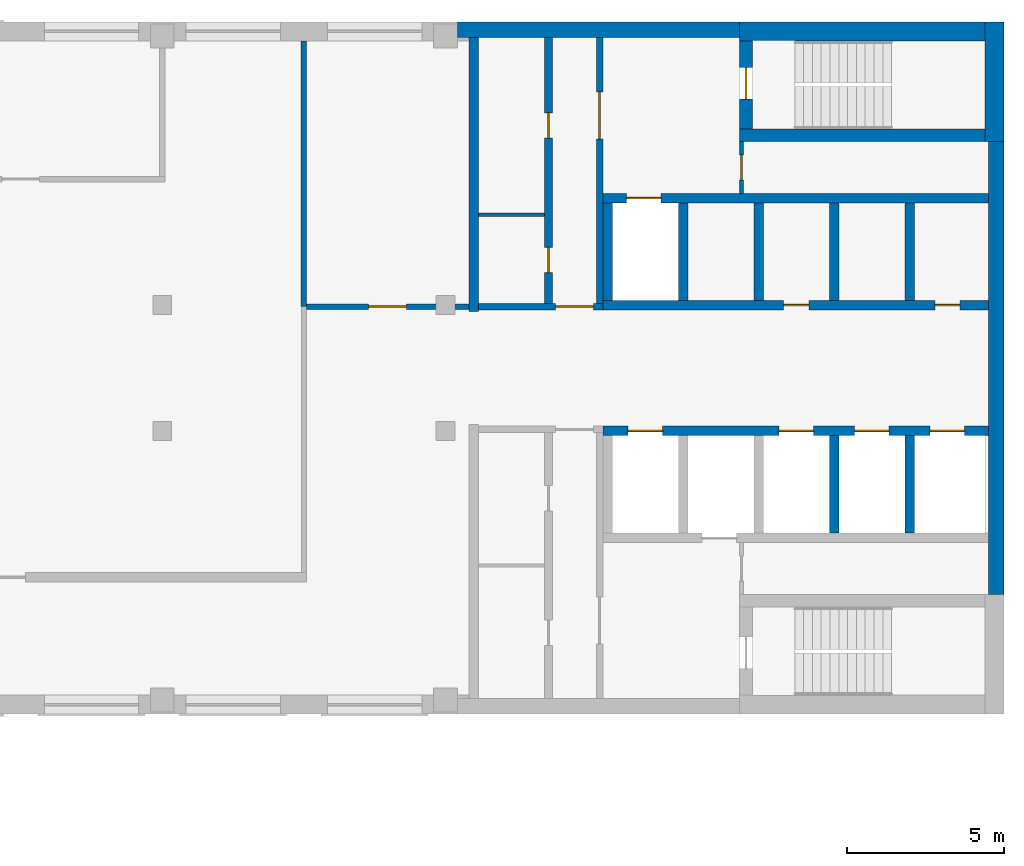
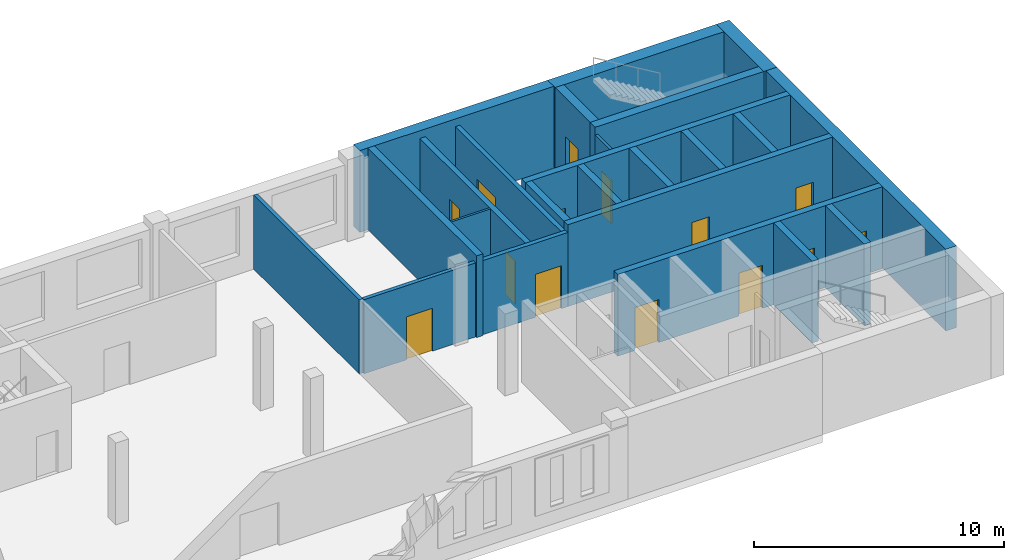
# One storey, part 6 of 8: 24 walls, 14 doors, 14 openings.
"""IFC4 building model written with IfcOpenShell, lengths in metres."""

from ifc_helpers import new_model, si_unit, direction, frame, frame_2d, origin, place, context, subcontext, project, spatial, rectangle, extrude, material, layer, layer_set, type_object, element, fill, save


model = new_model("IFC4")

# Units and contexts
model_context = context("Model", 3, precision=1e-05, world=origin(), true_north=direction((0.0, 1.0)))
body_context = subcontext(model_context, "Body", "Model", "MODEL_VIEW")
ifc_project = project(units=[si_unit("LENGTHUNIT", "METRE"), si_unit("AREAUNIT", "SQUARE_METRE"), si_unit("VOLUMEUNIT", "CUBIC_METRE"), si_unit("PLANEANGLEUNIT", "RADIAN"), si_unit("MASSUNIT", "GRAM", prefix="KILO")], contexts=[model_context])

# Site, building, storey
site_placement = place(None, origin())
site = spatial("IfcSite", under=ifc_project, at=site_placement, CompositionType="ELEMENT")
building_placement = place(site_placement, origin())
building = spatial("IfcBuilding", under=site, at=building_placement, Name="Skarvind Civic Tower", CompositionType="ELEMENT")
storey_placement = place(building_placement, frame((0.0, 0.0, 232.0)))
storey = spatial("IfcBuildingStorey", under=building, at=storey_placement, Name="L55", CompositionType="ELEMENT", Elevation=232.0)

# Wall
ifc_material_1 = material(Name="Acoustic gypsum board on steel studs", Category="steel")
ifc_layer_1 = layer(ifc_material_1, 0.175048828125)
ifc_layer_set_1 = layer_set([ifc_layer_1], Name="ACOUSTIC MEETING-ROOM PARTITION 175")
wall_type_1 = type_object("IfcWallType", Name="ACOUSTIC MEETING-ROOM PARTITION 175", PredefinedType="PARTITIONING", material=ifc_layer_set_1)
wall_1_placement = place(storey_placement, frame((85.75, 129.949951171875, 0.0), z_axis=(0.0, 0.0, 1.0), x_axis=(0.0, 1.0, 0.0)))
element("IfcWall", 1, at=wall_1_placement, inside=storey, type_object=wall_type_1, Name="Partition 55.044", PredefinedType="PARTITIONING", context=body_context, shape_type="SweptSolid", body=[
    extrude(rectangle(XDim=8.449951171875, YDim=0.175048828125, at=frame_2d((4.22509765625, 0.0))), origin(), (0.0, 0.0, 1.0), 3.625),
])

# Wall, opening, door
wall_2_placement = place(storey_placement, frame((85.837890625, 129.949951171875, 0.0), z_axis=(0.0, 0.0, 1.0), x_axis=(1.0, 0.0, 0.0)))
wall_2 = element("IfcWall", 2, at=wall_2_placement, inside=storey, type_object=wall_type_1, Name="Partition 55.045", PredefinedType="PARTITIONING", context=body_context, shape_type="SweptSolid", body=[
    extrude(rectangle(XDim=5.162109375, YDim=0.175048828125, at=frame_2d((2.5810546875, 0.0))), origin(), (0.0, 0.0, 1.0), 3.625),
])
opening_1_placement = place(wall_2_placement, frame((1.970947265625, 0.0, 0.0)))
opening_1 = element("IfcOpeningElement", 3, at=opening_1_placement, cuts=wall_2, Name="Opening L55-D001", PredefinedType="OPENING", context=body_context, shape_type="SweptSolid", body=[
    extrude(rectangle(XDim=1.199951171875, YDim=2.10009765625, at=frame_2d((0.60009765625, 1.050048828125))), frame((0.0, 0.097412109375, 0.0), z_axis=(0.0, -1.0, 0.0), x_axis=(1.0, 0.0, 0.0)), (0.0, 0.0, 1.0), 0.195068359375),
])
ifc_material_2 = material(Name="Timber door leaf", Category="wood")
door_type_1 = type_object("IfcDoorType", Name="DOOR 1200X2100 DOUBLE TIMBER", OperationType="NOTDEFINED", PredefinedType="DOOR", material=ifc_material_2)
door_1_placement = place(opening_1_placement, origin())
door_1 = element("IfcDoor", 4, at=door_1_placement, inside=storey, type_object=door_type_1, Name="Door L55-D001", OperationType="DOUBLE_DOOR_SINGLE_SWING", OverallHeight=2.10009765625, OverallWidth=1.199951171875, PredefinedType="DOOR", context=body_context, shape_type="SweptSolid", body=[
    extrude(rectangle(XDim=1.199951171875, YDim=2.10009765625, at=frame_2d((0.60009765625, 1.050048828125))), frame((0.0, 0.02490234375, 0.0), z_axis=(0.0, -1.0, 0.0), x_axis=(1.0, 0.0, 0.0)), (0.0, 0.0, 1.0), 0.050048828125),
])
fill(opening_1, door_1)

ifc_material_3 = material(Name="Fire-rated masonry partition", Category="masonry")
ifc_layer_2 = layer(ifc_material_3, 0.199951171875)
ifc_layer_set_2 = layer_set([ifc_layer_2], Name="Core enclosure wall 200")
wall_type_2 = type_object("IfcWallType", Name="Core enclosure wall 200", PredefinedType="PARTITIONING", material=ifc_layer_set_2)
wall_3_placement = place(storey_placement, frame((91.300048828125, 129.949951171875, 0.0), z_axis=(0.0, 0.0, 1.0), x_axis=(1.0, 0.0, 0.0)))
wall_3 = element("IfcWall", 5, at=wall_3_placement, inside=storey, type_object=wall_type_2, Name="Core wall C1", PredefinedType="PARTITIONING", context=body_context, shape_type="SweptSolid", body=[
    extrude(rectangle(XDim=3.949951171875, YDim=0.199951171875, at=frame_2d((1.97509765625, 0.0))), origin(), (0.0, 0.0, 1.0), 3.625),
])
opening_2_placement = place(wall_3_placement, frame((2.449951171875, 0.0, 0.0)))
opening_2 = element("IfcOpeningElement", 6, at=opening_2_placement, cuts=wall_3, Name="Opening D-L55-C1-13", PredefinedType="OPENING", context=body_context, shape_type="SweptSolid", body=[
    extrude(rectangle(XDim=1.199951171875, YDim=2.10009765625, at=frame_2d((0.60009765625, 1.050048828125))), frame((0.0, 0.10986328125, 0.0), z_axis=(0.0, -1.0, 0.0), x_axis=(1.0, 0.0, 0.0)), (0.0, 0.0, 1.0), 0.219970703125),
])
ifc_material_4 = material(Name="Fire-rated steel door", Category="steel")
door_type_2 = type_object("IfcDoorType", Name="Core lobby door 1200", OperationType="NOTDEFINED", PredefinedType="DOOR", material=ifc_material_4)
door_2_placement = place(opening_2_placement, origin())
door_2 = element("IfcDoor", 7, at=door_2_placement, inside=storey, type_object=door_type_2, Name="Fire door", OperationType="DOUBLE_DOOR_SINGLE_SWING", OverallHeight=2.10009765625, OverallWidth=1.199951171875, PredefinedType="DOOR", context=body_context, shape_type="SweptSolid", body=[
    extrude(rectangle(XDim=1.199951171875, YDim=2.10009765625, at=frame_2d((0.60009765625, 1.050048828125))), frame((0.0, 0.02490234375, 0.0), z_axis=(0.0, -1.0, 0.0), x_axis=(1.0, 0.0, 0.0)), (0.0, 0.0, 1.0), 0.050048828125),
])
fill(opening_2, door_2)

wall_4_placement = place(storey_placement, frame((95.14990234375, 130.050048828125, 0.0), z_axis=(0.0, 0.0, 1.0), x_axis=(0.0, 1.0, 0.0)))
wall_4 = element("IfcWall", 8, at=wall_4_placement, inside=storey, type_object=wall_type_2, Name="Core wall C1", PredefinedType="PARTITIONING", context=body_context, shape_type="SweptSolid", body=[
    extrude(rectangle(XDim=8.449951171875, YDim=0.199951171875, at=frame_2d((4.22509765625, 0.0))), origin(), (0.0, 0.0, 1.0), 3.625),
])
opening_3_placement = place(wall_4_placement, frame((5.22509765625, 0.0, 0.0)))
opening_3 = element("IfcOpeningElement", 9, at=opening_3_placement, cuts=wall_4, Name="Opening D-L55-C1-14", PredefinedType="OPENING", context=body_context, shape_type="SweptSolid", body=[
    extrude(rectangle(XDim=1.5, YDim=2.10009765625, at=frame_2d((0.75, 1.050048828125))), frame((0.0, 0.10986328125, 0.0), z_axis=(0.0, -1.0, 0.0), x_axis=(1.0, 0.0, 0.0)), (0.0, 0.0, 1.0), 0.219970703125),
])
door_type_3 = type_object("IfcDoorType", Name="Fire door 1500", OperationType="NOTDEFINED", PredefinedType="DOOR", material=ifc_material_4)
door_3_placement = place(opening_3_placement, origin())
door_3 = element("IfcDoor", 10, at=door_3_placement, inside=storey, type_object=door_type_3, Name="Fire door", OperationType="DOUBLE_DOOR_SINGLE_SWING", OverallHeight=2.10009765625, OverallWidth=1.5, PredefinedType="DOOR", context=body_context, shape_type="SweptSolid", body=[
    extrude(rectangle(XDim=1.5, YDim=2.10009765625, at=frame_2d((0.75, 1.050048828125))), frame((0.0, 0.02490234375, 0.0), z_axis=(0.0, -1.0, 0.0), x_axis=(1.0, 0.0, 0.0)), (0.0, 0.0, 1.0), 0.050048828125),
])
fill(opening_3, door_3)

# Wall
ifc_material_5 = material(Name="Fire-rated plasterboard partition")
ifc_layer_3 = layer(ifc_material_5, 0.10009765625)
ifc_layer_set_3 = layer_set([ifc_layer_3], Name="Core partition wall 100")
wall_type_3 = type_object("IfcWallType", Name="Core partition wall 100", PredefinedType="PARTITIONING", material=ifc_layer_set_3)
wall_5_placement = place(storey_placement, frame((91.300048828125, 132.8701171875, 0.0), z_axis=(0.0, 0.0, 1.0), x_axis=(1.0, 0.0, 0.0)))
element("IfcWall", 11, at=wall_5_placement, inside=storey, type_object=wall_type_3, Name="Core wall C1", PredefinedType="PARTITIONING", context=body_context, shape_type="SweptSolid", body=[
    extrude(rectangle(XDim=2.099853515625, YDim=0.10009765625, at=frame_2d((1.0498046875, 0.0))), origin(), (0.0, 0.0, 1.0), 3.625),
])

# Wall, openings, doors
ifc_material_6 = material(Name="Concrete C60", Category="concrete")
ifc_layer_4 = layer(ifc_material_6, 0.300048828125)
ifc_layer_set_4 = layer_set([ifc_layer_4], Name="Core wall 300 C60")
wall_type_4 = type_object("IfcWallType", Name="Core wall 300 C60", PredefinedType="SHEAR", material=ifc_layer_set_4)
wall_6_placement = place(storey_placement, frame((107.5, 130.0, 0.0), z_axis=(0.0, 0.0, 1.0), x_axis=(-1.0, 0.0, 0.0)))
wall_6 = element("IfcWall", 12, at=wall_6_placement, inside=storey, type_object=wall_type_4, Name="Core wall C1 south lift row front L55", PredefinedType="SHEAR", context=body_context, shape_type="SweptSolid", body=[
    extrude(rectangle(XDim=12.25, YDim=0.300048828125, at=frame_2d((6.125, 0.0))), origin(), (0.0, 0.0, 1.0), 4.0),
])
opening_4_placement = place(wall_6_placement, frame((0.89990234375, 0.0, 0.0)))
opening_4 = element("IfcOpeningElement", 13, at=opening_4_placement, cuts=wall_6, Name="Opening D-L55-C1-05", PredefinedType="OPENING", context=body_context, shape_type="SweptSolid", body=[
    extrude(rectangle(XDim=0.800048828125, YDim=2.10009765625, at=frame_2d((0.39990234375, 1.050048828125))), frame((0.0, 0.159912109375, 0.0), z_axis=(0.0, -1.0, 0.0), x_axis=(1.0, 0.0, 0.0)), (0.0, 0.0, 1.0), 0.320068359375),
])
opening_5_placement = place(wall_6_placement, frame((5.699951171875, 0.0, 0.0)))
opening_5 = element("IfcOpeningElement", 14, at=opening_5_placement, cuts=wall_6, Name="Opening D-L55-C1-06", PredefinedType="OPENING", context=body_context, shape_type="SweptSolid", body=[
    extrude(rectangle(XDim=0.800048828125, YDim=2.10009765625, at=frame_2d((0.39990234375, 1.050048828125))), frame((0.0, 0.159912109375, 0.0), z_axis=(0.0, -1.0, 0.0), x_axis=(1.0, 0.0, 0.0)), (0.0, 0.0, 1.0), 0.320068359375),
])
door_type_4 = type_object("IfcDoorType", Name="Core riser door 800", OperationType="NOTDEFINED", PredefinedType="DOOR", material=ifc_material_4)
door_4_placement = place(opening_4_placement, origin())
door_4 = element("IfcDoor", 15, at=door_4_placement, inside=storey, type_object=door_type_4, Name="Riser door", OperationType="SINGLE_SWING_LEFT", OverallHeight=2.10009765625, OverallWidth=0.800048828125, PredefinedType="DOOR", context=body_context, shape_type="SweptSolid", body=[
    extrude(rectangle(XDim=0.800048828125, YDim=2.10009765625, at=frame_2d((0.39990234375, 1.050048828125))), frame((0.0, 0.02490234375, 0.0), z_axis=(0.0, -1.0, 0.0), x_axis=(1.0, 0.0, 0.0)), (0.0, 0.0, 1.0), 0.050048828125),
])
fill(opening_4, door_4)
door_5_placement = place(opening_5_placement, origin())
door_5 = element("IfcDoor", 16, at=door_5_placement, inside=storey, type_object=door_type_4, Name="Riser door", OperationType="SINGLE_SWING_RIGHT", OverallHeight=2.10009765625, OverallWidth=0.800048828125, PredefinedType="DOOR", context=body_context, shape_type="SweptSolid", body=[
    extrude(rectangle(XDim=0.800048828125, YDim=2.10009765625, at=frame_2d((0.39990234375, 1.050048828125))), frame((0.0, 0.02490234375, 0.0), z_axis=(0.0, -1.0, 0.0), x_axis=(1.0, 0.0, 0.0)), (0.0, 0.0, 1.0), 0.050048828125),
])
fill(opening_5, door_5)

# Wall, opening, door
wall_7_placement = place(storey_placement, frame((107.5, 133.39990234375, 0.0), z_axis=(0.0, 0.0, 1.0), x_axis=(-1.0, 0.0, 0.0)))
wall_7 = element("IfcWall", 17, at=wall_7_placement, inside=storey, type_object=wall_type_4, Name="Core wall C1 south lift row back L55", PredefinedType="SHEAR", context=body_context, shape_type="SweptSolid", body=[
    extrude(rectangle(XDim=12.25, YDim=0.300048828125, at=frame_2d((6.125, 0.0))), origin(), (0.0, 0.0, 1.0), 4.0),
])
opening_6_placement = place(wall_7_placement, frame((10.39990234375, 0.0, 0.0)))
opening_6 = element("IfcOpeningElement", 18, at=opening_6_placement, cuts=wall_7, Name="Opening LD57110", PredefinedType="OPENING", context=body_context, shape_type="SweptSolid", body=[
    extrude(rectangle(XDim=1.10009765625, YDim=2.10009765625, at=frame_2d((0.550048828125, 1.050048828125))), frame((0.0, 0.159912109375, 0.0), z_axis=(0.0, -1.0, 0.0), x_axis=(1.0, 0.0, 0.0)), (0.0, 0.0, 1.0), 0.320068359375),
])
ifc_material_7 = material(Name="Stainless steel landing door", Category="steel")
door_type_5 = type_object("IfcDoorType", Name="Lift landing door 1100", OperationType="DOUBLE_DOOR_SLIDING", PredefinedType="DOOR", material=ifc_material_7)
door_6_placement = place(opening_6_placement, origin())
door_6 = element("IfcDoor", 19, at=door_6_placement, inside=storey, type_object=door_type_5, Name="Lift landing door", OperationType="DOUBLE_DOOR_SLIDING", OverallHeight=2.10009765625, OverallWidth=1.10009765625, PredefinedType="DOOR", context=body_context, shape_type="SweptSolid", body=[
    extrude(rectangle(XDim=1.10009765625, YDim=2.10009765625, at=frame_2d((0.550048828125, 1.050048828125))), frame((0.0, 0.02490234375, 0.0), z_axis=(0.0, -1.0, 0.0), x_axis=(1.0, 0.0, 0.0)), (0.0, 0.0, 1.0), 0.050048828125),
])
fill(opening_6, door_6)

# Walls
for number, where, z_axis, x_axis, name in (
    (20, (105.0, 133.25, 0.0), (0.0, 0.0, 1.0), (0.0, -1.0, 0.0), "Core wall C1 south lift row division 1 L55"),
    (21, (102.60009765625, 133.25, 0.0), (0.0, 0.0, 1.0), (0.0, -1.0, 0.0), "Core wall C1 south lift row division 2 L55"),
    (22, (100.199951171875, 133.25, 0.0), (0.0, 0.0, 1.0), (0.0, -1.0, 0.0), "Core wall C1 south lift row division 3 L55"),
    (23, (97.800048828125, 133.25, 0.0), (0.0, 0.0, 1.0), (0.0, -1.0, 0.0), "Core wall C1 south lift row division 4 L55"),
    (24, (95.39990234375, 133.25, 0.0), (0.0, 0.0, 1.0), (0.0, -1.0, 0.0), "Core wall C1 south lift row division 5 L55"),
):
    element("IfcWall", number, at=place(storey_placement, frame(where, z_axis=z_axis, x_axis=x_axis)), inside=storey, type_object=wall_type_4, Name=name, PredefinedType="SHEAR", context=body_context, shape_type="SweptSolid", body=[
        extrude(rectangle(XDim=3.10009765625, YDim=0.300048828125, at=frame_2d((1.550048828125, 0.0))), origin(), (0.0, 0.0, 1.0), 4.0),
    ])

# Wall, openings, doors
wall_8_placement = place(storey_placement, frame((107.5, 126.0, 0.0), z_axis=(0.0, 0.0, 1.0), x_axis=(-1.0, 0.0, 0.0)))
wall_8 = element("IfcWall", 25, at=wall_8_placement, inside=storey, type_object=wall_type_4, Name="Core wall C1 north lift row front L55", PredefinedType="SHEAR", context=body_context, shape_type="SweptSolid", body=[
    extrude(rectangle(XDim=12.25, YDim=0.300048828125, at=frame_2d((6.125, 0.0))), origin(), (0.0, 0.0, 1.0), 4.0),
])
opening_7_placement = place(wall_8_placement, frame((0.75, 0.0, 0.0)))
opening_7 = element("IfcOpeningElement", 26, at=opening_7_placement, cuts=wall_8, Name="Opening LD57101", PredefinedType="OPENING", context=body_context, shape_type="SweptSolid", body=[
    extrude(rectangle(XDim=1.10009765625, YDim=2.10009765625, at=frame_2d((0.550048828125, 1.050048828125))), frame((0.0, 0.159912109375, 0.0), z_axis=(0.0, -1.0, 0.0), x_axis=(1.0, 0.0, 0.0)), (0.0, 0.0, 1.0), 0.320068359375),
])
opening_8_placement = place(wall_8_placement, frame((3.14990234375, 0.0, 0.0)))
opening_8 = element("IfcOpeningElement", 27, at=opening_8_placement, cuts=wall_8, Name="Opening LD57102", PredefinedType="OPENING", context=body_context, shape_type="SweptSolid", body=[
    extrude(rectangle(XDim=1.10009765625, YDim=2.10009765625, at=frame_2d((0.550048828125, 1.050048828125))), frame((0.0, 0.159912109375, 0.0), z_axis=(0.0, -1.0, 0.0), x_axis=(1.0, 0.0, 0.0)), (0.0, 0.0, 1.0), 0.320068359375),
])
opening_9_placement = place(wall_8_placement, frame((5.550048828125, 0.0, 0.0)))
opening_9 = element("IfcOpeningElement", 28, at=opening_9_placement, cuts=wall_8, Name="Opening LD57103", PredefinedType="OPENING", context=body_context, shape_type="SweptSolid", body=[
    extrude(rectangle(XDim=1.10009765625, YDim=2.10009765625, at=frame_2d((0.550048828125, 1.050048828125))), frame((0.0, 0.159912109375, 0.0), z_axis=(0.0, -1.0, 0.0), x_axis=(1.0, 0.0, 0.0)), (0.0, 0.0, 1.0), 0.320068359375),
])
opening_10_placement = place(wall_8_placement, frame((10.35009765625, 0.0, 0.0)))
opening_10 = element("IfcOpeningElement", 29, at=opening_10_placement, cuts=wall_8, Name="Opening LD57105", PredefinedType="OPENING", context=body_context, shape_type="SweptSolid", body=[
    extrude(rectangle(XDim=1.10009765625, YDim=2.10009765625, at=frame_2d((0.550048828125, 1.050048828125))), frame((0.0, 0.159912109375, 0.0), z_axis=(0.0, -1.0, 0.0), x_axis=(1.0, 0.0, 0.0)), (0.0, 0.0, 1.0), 0.320068359375),
])
door_7_placement = place(opening_7_placement, origin())
door_7 = element("IfcDoor", 30, at=door_7_placement, inside=storey, type_object=door_type_5, Name="Lift landing door", OperationType="DOUBLE_DOOR_SLIDING", OverallHeight=2.10009765625, OverallWidth=1.10009765625, PredefinedType="DOOR", context=body_context, shape_type="SweptSolid", body=[
    extrude(rectangle(XDim=1.10009765625, YDim=2.10009765625, at=frame_2d((0.550048828125, 1.050048828125))), frame((0.0, 0.02490234375, 0.0), z_axis=(0.0, -1.0, 0.0), x_axis=(1.0, 0.0, 0.0)), (0.0, 0.0, 1.0), 0.050048828125),
])
fill(opening_7, door_7)
door_8_placement = place(opening_8_placement, origin())
door_8 = element("IfcDoor", 31, at=door_8_placement, inside=storey, type_object=door_type_5, Name="Lift landing door", OperationType="DOUBLE_DOOR_SLIDING", OverallHeight=2.10009765625, OverallWidth=1.10009765625, PredefinedType="DOOR", context=body_context, shape_type="SweptSolid", body=[
    extrude(rectangle(XDim=1.10009765625, YDim=2.10009765625, at=frame_2d((0.550048828125, 1.050048828125))), frame((0.0, 0.02490234375, 0.0), z_axis=(0.0, -1.0, 0.0), x_axis=(1.0, 0.0, 0.0)), (0.0, 0.0, 1.0), 0.050048828125),
])
fill(opening_8, door_8)
door_9_placement = place(opening_9_placement, origin())
door_9 = element("IfcDoor", 32, at=door_9_placement, inside=storey, type_object=door_type_5, Name="Lift landing door", OperationType="DOUBLE_DOOR_SLIDING", OverallHeight=2.10009765625, OverallWidth=1.10009765625, PredefinedType="DOOR", context=body_context, shape_type="SweptSolid", body=[
    extrude(rectangle(XDim=1.10009765625, YDim=2.10009765625, at=frame_2d((0.550048828125, 1.050048828125))), frame((0.0, 0.02490234375, 0.0), z_axis=(0.0, -1.0, 0.0), x_axis=(1.0, 0.0, 0.0)), (0.0, 0.0, 1.0), 0.050048828125),
])
fill(opening_9, door_9)
door_10_placement = place(opening_10_placement, origin())
door_10 = element("IfcDoor", 33, at=door_10_placement, inside=storey, type_object=door_type_5, Name="Lift landing door", OperationType="DOUBLE_DOOR_SLIDING", OverallHeight=2.10009765625, OverallWidth=1.10009765625, PredefinedType="DOOR", context=body_context, shape_type="SweptSolid", body=[
    extrude(rectangle(XDim=1.10009765625, YDim=2.10009765625, at=frame_2d((0.550048828125, 1.050048828125))), frame((0.0, 0.02490234375, 0.0), z_axis=(0.0, -1.0, 0.0), x_axis=(1.0, 0.0, 0.0)), (0.0, 0.0, 1.0), 0.050048828125),
])
fill(opening_10, door_10)

# Walls
for number, where, z_axis, x_axis, name in (
    (34, (105.0, 125.85009765625, 0.0), (0.0, 0.0, 1.0), (0.0, -1.0, 0.0), "Core wall C1 north lift row division 1 L55"),
    (35, (102.60009765625, 125.85009765625, 0.0), (0.0, 0.0, 1.0), (0.0, -1.0, 0.0), "Core wall C1 north lift row division 2 L55"),
):
    element("IfcWall", number, at=place(storey_placement, frame(where, z_axis=z_axis, x_axis=x_axis)), inside=storey, type_object=wall_type_4, Name=name, PredefinedType="SHEAR", context=body_context, shape_type="SweptSolid", body=[
        extrude(rectangle(XDim=3.10009765625, YDim=0.300048828125, at=frame_2d((1.550048828125, 0.0))), origin(), (0.0, 0.0, 1.0), 4.0),
    ])
wall_9_placement = place(storey_placement, frame((91.14990234375, 138.5, 0.0), z_axis=(0.0, 0.0, 1.0), x_axis=(0.0, -1.0, 0.0)))
element("IfcWall", 36, at=wall_9_placement, inside=storey, type_object=wall_type_4, Name="Core wall C1 south inner face L55", PredefinedType="SHEAR", context=body_context, shape_type="SweptSolid", body=[
    extrude(rectangle(XDim=8.699951171875, YDim=0.300048828125, at=frame_2d((4.35009765625, 0.0))), origin(), (0.0, 0.0, 1.0), 4.0),
])
ifc_layer_5 = layer(ifc_material_6, 0.39990234375)
ifc_layer_set_5 = layer_set([ifc_layer_5], Name="Core wall 400 C60")
wall_type_5 = type_object("IfcWallType", Name="Core wall 400 C60", PredefinedType="SHEAR", material=ifc_layer_set_5)
wall_10_placement = place(storey_placement, frame((107.39990234375, 135.39990234375, 0.0), z_axis=(0.0, 0.0, 1.0), x_axis=(-1.0, 0.0, 0.0)))
element("IfcWall", 37, at=wall_10_placement, inside=storey, type_object=wall_type_5, Name="Core wall C1 south stair inner L55", PredefinedType="SHEAR", context=body_context, shape_type="SweptSolid", body=[
    extrude(rectangle(XDim=7.7998046875, YDim=0.39990234375, at=frame_2d((3.89990234375, 0.0))), origin(), (0.0, 0.0, 1.0), 4.0),
])

# Wall, opening, door
wall_11_placement = place(storey_placement, frame((99.800048828125, 138.39990234375, 0.0), z_axis=(0.0, 0.0, 1.0), x_axis=(0.0, -1.0, 0.0)))
wall_11 = element("IfcWall", 38, at=wall_11_placement, inside=storey, type_object=wall_type_5, Name="Core wall C1 south stair end L55", PredefinedType="SHEAR", context=body_context, shape_type="SweptSolid", body=[
    extrude(rectangle(XDim=2.7998046875, YDim=0.39990234375, at=frame_2d((1.39990234375, 0.0))), origin(), (0.0, 0.0, 1.0), 4.0),
])
opening_11_placement = place(wall_11_placement, frame((0.85009765625, 0.0, 0.0)))
opening_11 = element("IfcOpeningElement", 39, at=opening_11_placement, cuts=wall_11, Name="Opening D-L55-C1-15", PredefinedType="OPENING", context=body_context, shape_type="SweptSolid", body=[
    extrude(rectangle(XDim=1.0, YDim=2.10009765625, at=frame_2d((0.5, 1.050048828125))), frame((0.0, 0.2099609375, 0.0), z_axis=(0.0, -1.0, 0.0), x_axis=(1.0, 0.0, 0.0)), (0.0, 0.0, 1.0), 0.419921875),
])
door_type_6 = type_object("IfcDoorType", Name="Fire door 1000", OperationType="NOTDEFINED", PredefinedType="DOOR", material=ifc_material_4)
door_11_placement = place(opening_11_placement, origin())
door_11 = element("IfcDoor", 40, at=door_11_placement, inside=storey, type_object=door_type_6, Name="Fire door", OperationType="SINGLE_SWING_RIGHT", OverallHeight=2.10009765625, OverallWidth=1.0, PredefinedType="DOOR", context=body_context, shape_type="SweptSolid", body=[
    extrude(rectangle(XDim=1.0, YDim=2.10009765625, at=frame_2d((0.5, 1.050048828125))), frame((0.0, 0.02490234375, 0.0), z_axis=(0.0, -1.0, 0.0), x_axis=(1.0, 0.0, 0.0)), (0.0, 0.0, 1.0), 0.050048828125),
])
fill(opening_11, door_11)

# Walls
ifc_layer_6 = layer(ifc_material_6, 0.5)
ifc_layer_set_6 = layer_set([ifc_layer_6], Name="Core wall 500 C60")
wall_type_6 = type_object("IfcWallType", Name="Core wall 500 C60", PredefinedType="SHEAR", material=ifc_layer_set_6)
wall_12_placement = place(storey_placement, frame((107.75, 135.199951171875, 0.0), z_axis=(0.0, 0.0, 1.0), x_axis=(0.0, -1.0, 0.0)))
element("IfcWall", 41, at=wall_12_placement, inside=storey, type_object=wall_type_6, Name="Core wall C1 tip between the stairs L55", PredefinedType="SHEAR", context=body_context, shape_type="SweptSolid", body=[
    extrude(rectangle(XDim=14.39990234375, YDim=0.5, at=frame_2d((7.199951171875, 0.0))), origin(), (0.0, 0.0, 1.0), 4.0),
])
wall_13_placement = place(storey_placement, frame((99.60009765625, 138.75, 0.0), z_axis=(0.0, 0.0, 1.0), x_axis=(-1.0, 0.0, 0.0)))
element("IfcWall", 42, at=wall_13_placement, inside=storey, type_object=wall_type_6, Name="Core wall C1 south side L55", PredefinedType="SHEAR", context=body_context, shape_type="SweptSolid", body=[
    extrude(rectangle(XDim=8.97509765625, YDim=0.5, at=frame_2d((4.487548828125, 0.0))), origin(), (0.0, 0.0, 1.0), 4.0),
])
ifc_layer_7 = layer(ifc_material_6, 0.60009765625)
ifc_layer_set_7 = layer_set([ifc_layer_7], Name="Core wall 600 C60")
wall_type_7 = type_object("IfcWallType", Name="Core wall 600 C60", PredefinedType="SHEAR", material=ifc_layer_set_7)
wall_14_placement = place(storey_placement, frame((107.699951171875, 139.0, 0.0), z_axis=(0.0, 0.0, 1.0), x_axis=(0.0, -1.0, 0.0)))
element("IfcWall", 43, at=wall_14_placement, inside=storey, type_object=wall_type_7, Name="Core wall C1 tip at the south stair L55", PredefinedType="SHEAR", context=body_context, shape_type="SweptSolid", body=[
    extrude(rectangle(XDim=3.800048828125, YDim=0.60009765625, at=frame_2d((1.89990234375, 0.0))), origin(), (0.0, 0.0, 1.0), 4.0),
])
wall_15_placement = place(storey_placement, frame((107.39990234375, 138.699951171875, 0.0), z_axis=(0.0, 0.0, 1.0), x_axis=(-1.0, 0.0, 0.0)))
element("IfcWall", 44, at=wall_15_placement, inside=storey, type_object=wall_type_7, Name="Core wall C1 south side at the stair L55", PredefinedType="SHEAR", context=body_context, shape_type="SweptSolid", body=[
    extrude(rectangle(XDim=7.7998046875, YDim=0.60009765625, at=frame_2d((3.89990234375, 0.0))), origin(), (0.0, 0.0, 1.0), 4.0),
])

# Wall, opening, door
ifc_layer_8 = layer(ifc_material_3, 0.125)
ifc_layer_set_8 = layer_set([ifc_layer_8], Name="Riser wall 125")
wall_type_8 = type_object("IfcWallType", Name="Riser wall 125", PredefinedType="PARTITIONING", material=ifc_layer_set_8)
wall_16_placement = place(storey_placement, frame((99.66259765625, 133.550048828125, 0.0), z_axis=(0.0, 0.0, 1.0), x_axis=(0.0, 1.0, 0.0)))
wall_16 = element("IfcWall", 45, at=wall_16_placement, inside=storey, type_object=wall_type_8, Name="Core wall C1", PredefinedType="PARTITIONING", context=body_context, shape_type="SweptSolid", body=[
    extrude(rectangle(XDim=1.64990234375, YDim=0.125, at=frame_2d((0.824951171875, 0.0))), origin(), (0.0, 0.0, 1.0), 3.625),
])
opening_12_placement = place(wall_16_placement, frame((0.425048828125, 0.0, 0.0)))
opening_12 = element("IfcOpeningElement", 46, at=opening_12_placement, cuts=wall_16, Name="Opening D-L55-C1-16", PredefinedType="OPENING", context=body_context, shape_type="SweptSolid", body=[
    extrude(rectangle(XDim=0.800048828125, YDim=2.10009765625, at=frame_2d((0.39990234375, 1.050048828125))), frame((0.0, 0.072509765625, 0.0), z_axis=(0.0, -1.0, 0.0), x_axis=(1.0, 0.0, 0.0)), (0.0, 0.0, 1.0), 0.14501953125),
])
door_12_placement = place(opening_12_placement, origin())
door_12 = element("IfcDoor", 47, at=door_12_placement, inside=storey, type_object=door_type_4, Name="Riser door", OperationType="SINGLE_SWING_LEFT", OverallHeight=2.10009765625, OverallWidth=0.800048828125, PredefinedType="DOOR", context=body_context, shape_type="SweptSolid", body=[
    extrude(rectangle(XDim=0.800048828125, YDim=2.10009765625, at=frame_2d((0.39990234375, 1.050048828125))), frame((0.0, 0.02490234375, 0.0), z_axis=(0.0, -1.0, 0.0), x_axis=(1.0, 0.0, 0.0)), (0.0, 0.0, 1.0), 0.050048828125),
])
fill(opening_12, door_12)

# Wall, openings, doors
ifc_layer_9 = layer(ifc_material_3, 0.25)
ifc_layer_set_9 = layer_set([ifc_layer_9], Name="Service block wall 250")
wall_type_9 = type_object("IfcWallType", Name="Service block wall 250", PredefinedType="PARTITIONING", material=ifc_layer_set_9)
wall_17_placement = place(storey_placement, frame((93.52490234375, 130.050048828125, 0.0), z_axis=(0.0, 0.0, 1.0), x_axis=(0.0, 1.0, 0.0)))
wall_17 = element("IfcWall", 48, at=wall_17_placement, inside=storey, type_object=wall_type_9, Name="Core wall C1", PredefinedType="PARTITIONING", context=body_context, shape_type="SweptSolid", body=[
    extrude(rectangle(XDim=8.449951171875, YDim=0.25, at=frame_2d((4.22509765625, 0.0))), origin(), (0.0, 0.0, 1.0), 3.625),
])
opening_13_placement = place(wall_17_placement, frame((0.985107421875, 0.0, 0.0)))
opening_13 = element("IfcOpeningElement", 49, at=opening_13_placement, cuts=wall_17, Name="Opening D-L55-C1-17", PredefinedType="OPENING", context=body_context, shape_type="SweptSolid", body=[
    extrude(rectangle(XDim=0.800048828125, YDim=2.10009765625, at=frame_2d((0.39990234375, 1.050048828125))), frame((0.0, 0.135009765625, 0.0), z_axis=(0.0, -1.0, 0.0), x_axis=(1.0, 0.0, 0.0)), (0.0, 0.0, 1.0), 0.27001953125),
])
opening_14_placement = place(wall_17_placement, frame((5.260009765625, 0.0, 0.0)))
opening_14 = element("IfcOpeningElement", 50, at=opening_14_placement, cuts=wall_17, Name="Opening D-L55-C1-18", PredefinedType="OPENING", context=body_context, shape_type="SweptSolid", body=[
    extrude(rectangle(XDim=0.800048828125, YDim=2.10009765625, at=frame_2d((0.39990234375, 1.050048828125))), frame((0.0, 0.135009765625, 0.0), z_axis=(0.0, -1.0, 0.0), x_axis=(1.0, 0.0, 0.0)), (0.0, 0.0, 1.0), 0.27001953125),
])
door_13_placement = place(opening_13_placement, origin())
door_13 = element("IfcDoor", 51, at=door_13_placement, inside=storey, type_object=door_type_4, Name="Riser door", OperationType="SINGLE_SWING_RIGHT", OverallHeight=2.10009765625, OverallWidth=0.800048828125, PredefinedType="DOOR", context=body_context, shape_type="SweptSolid", body=[
    extrude(rectangle(XDim=0.800048828125, YDim=2.10009765625, at=frame_2d((0.39990234375, 1.050048828125))), frame((0.0, 0.02490234375, 0.0), z_axis=(0.0, -1.0, 0.0), x_axis=(1.0, 0.0, 0.0)), (0.0, 0.0, 1.0), 0.050048828125),
])
fill(opening_13, door_13)
door_14_placement = place(opening_14_placement, origin())
door_14 = element("IfcDoor", 52, at=door_14_placement, inside=storey, type_object=door_type_4, Name="Riser door", OperationType="SINGLE_SWING_LEFT", OverallHeight=2.10009765625, OverallWidth=0.800048828125, PredefinedType="DOOR", context=body_context, shape_type="SweptSolid", body=[
    extrude(rectangle(XDim=0.800048828125, YDim=2.10009765625, at=frame_2d((0.39990234375, 1.050048828125))), frame((0.0, 0.02490234375, 0.0), z_axis=(0.0, -1.0, 0.0), x_axis=(1.0, 0.0, 0.0)), (0.0, 0.0, 1.0), 0.050048828125),
])
fill(opening_14, door_14)

save(model, "model.ifc")
